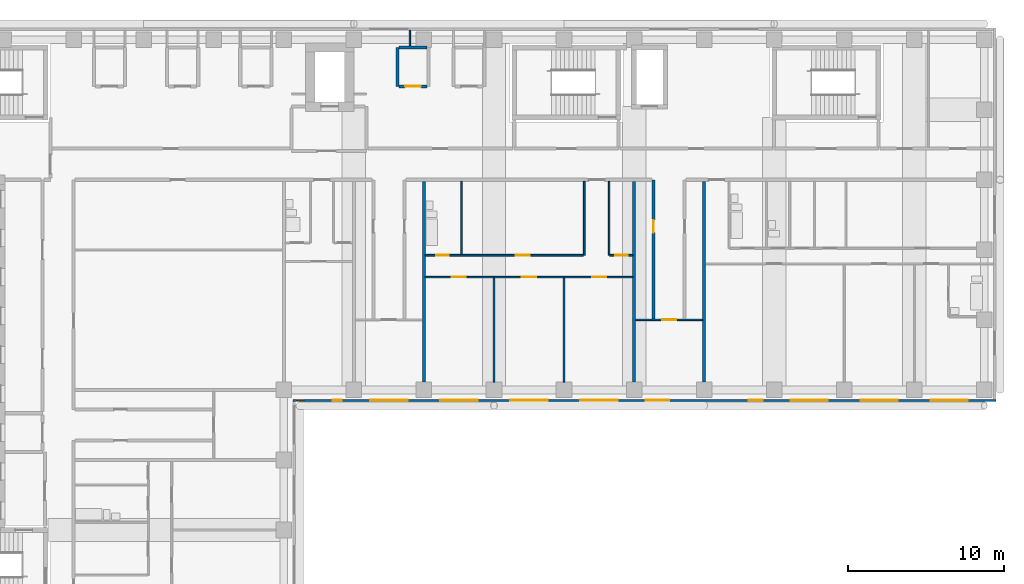
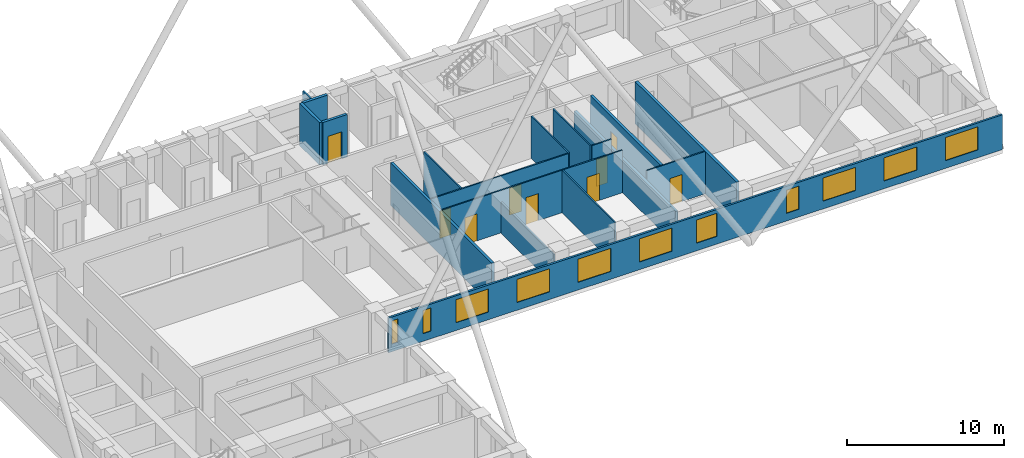
# One storey, part 7 of 13: 18 walls, 11 windows, 9 doors, 20 openings.
"""IFC4 building model written with IfcOpenShell, lengths in metres."""

from ifc_helpers import new_model, si_unit, direction, frame, frame_2d, origin, place, context, subcontext, project, spatial, rectangle, extrude, material, layer, layer_set, type_object, element, fill, save


model = new_model("IFC4")

# Units and contexts
model_context = context("Model", 3, precision=1e-05, world=origin(), true_north=direction((0.0, 1.0)))
body_context = subcontext(model_context, "Body", "Model", "MODEL_VIEW")
ifc_project = project(units=[si_unit("LENGTHUNIT", "METRE"), si_unit("AREAUNIT", "SQUARE_METRE"), si_unit("VOLUMEUNIT", "CUBIC_METRE"), si_unit("PLANEANGLEUNIT", "RADIAN"), si_unit("MASSUNIT", "GRAM", prefix="KILO")], contexts=[model_context])

# Site, building, storey
site_placement = place(None, origin())
site = spatial("IfcSite", under=ifc_project, at=site_placement, CompositionType="ELEMENT")
building_placement = place(site_placement, origin())
building = spatial("IfcBuilding", under=site, at=building_placement, Name="Firuza Court", CompositionType="ELEMENT")
storey_placement = place(building_placement, frame((0.0, 0.0, 141.199951171875)))
storey = spatial("IfcBuildingStorey", under=building, at=storey_placement, Name="L35", CompositionType="ELEMENT", Elevation=141.199951171875)

# Wall
ifc_material_1 = material(Name="Moisture-resistant gypsum board partition")
ifc_layer_1 = layer(ifc_material_1, 0.10009765625)
ifc_layer_set_1 = layer_set([ifc_layer_1], Name="Moisture-resistant gypsum board partition")
wall_type_1 = type_object("IfcWallType", Name="Bathroom partition 100", PredefinedType="PLUMBINGWALL", material=ifc_layer_set_1)
wall_1_placement = place(storey_placement, frame((33.89990234375, 44.699951171875, 0.0), z_axis=(0.0, 0.0, 1.0), x_axis=(0.0, 1.0, 0.0)))
element("IfcWall", 1, at=wall_1_placement, inside=storey, type_object=wall_type_1, Name="Bathroom partition 100 L35", PredefinedType="PLUMBINGWALL", context=body_context, shape_type="SweptSolid", body=[
    extrude(rectangle(XDim=4.699951171875, YDim=0.10009765625, at=frame_2d((2.35009765625, 0.0))), origin(), (0.0, 0.0, 1.0), 3.300048828125),
])

# Wall, opening, door
ifc_material_2 = material(Name="Blockwork, plastered both sides", Category="masonry")
ifc_layer_2 = layer(ifc_material_2, 0.199951171875)
ifc_layer_set_2 = layer_set([ifc_layer_2], Name="Blockwork, plastered both sides")
wall_type_2 = type_object("IfcWallType", Name="Corridor wall 200", PredefinedType="PARTITIONING", material=ifc_layer_set_2)
wall_2_placement = place(storey_placement, frame((46.25, 40.550048828125, 0.0), z_axis=(0.0, 0.0, 1.0), x_axis=(0.0, 1.0, 0.0)))
wall_2 = element("IfcWall", 2, at=wall_2_placement, inside=storey, type_object=wall_type_2, Name="Corridor wall 200 L35", PredefinedType="PARTITIONING", context=body_context, shape_type="SweptSolid", body=[
    extrude(rectangle(XDim=8.949951171875, YDim=0.199951171875, at=frame_2d((4.47509765625, 0.0))), origin(), (0.0, 0.0, 1.0), 3.300048828125),
])
opening_1_placement = place(wall_2_placement, frame((5.550048828125, 0.0, 0.0)))
opening_1 = element("IfcOpeningElement", 3, at=opening_1_placement, cuts=wall_2, Name="Opening D35043", PredefinedType="OPENING", context=body_context, shape_type="SweptSolid", body=[
    extrude(rectangle(XDim=0.800048828125, YDim=2.10009765625, at=frame_2d((0.39990234375, 1.050048828125))), frame((0.0, 0.11181640625, 0.0), z_axis=(0.0, -1.0, 0.0), x_axis=(1.0, 0.0, 0.0)), (0.0, 0.0, 1.0), 0.223876953125),
])
ifc_material_3 = material(Name="Timber door leaf in hardwood frame", Category="wood")
door_type_1 = type_object("IfcDoorType", Name="Room door 800 EI 30", OperationType="SINGLE_SWING_LEFT", PredefinedType="DOOR", material=ifc_material_3)
door_1_placement = place(opening_1_placement, origin())
door_1 = element("IfcDoor", 4, at=door_1_placement, inside=storey, type_object=door_type_1, Name="Store door", OperationType="SINGLE_SWING_RIGHT", OverallHeight=2.10009765625, OverallWidth=0.800048828125, PredefinedType="DOOR", context=body_context, shape_type="SweptSolid", body=[
    extrude(rectangle(XDim=0.800048828125, YDim=2.10009765625, at=frame_2d((0.39990234375, 1.050048828125))), frame((0.0, 0.02490234375, 0.0), z_axis=(0.0, -1.0, 0.0), x_axis=(1.0, 0.0, 0.0)), (0.0, 0.0, 1.0), 0.050048828125),
])
fill(opening_1, door_1)

# Walls
ifc_material_4 = material(Name="Timber stud partition, plasterboard both sides", Category="wood")
ifc_layer_3 = layer(ifc_material_4, 0.10009765625)
ifc_layer_set_3 = layer_set([ifc_layer_3], Name="Timber stud partition, plasterboard both sides")
wall_type_3 = type_object("IfcWallType", Name="Partition wall 100", PredefinedType="PARTITIONING", material=ifc_layer_set_3)
wall_3_placement = place(storey_placement, frame((36.0, 36.5, 0.0), z_axis=(0.0, 0.0, 1.0), x_axis=(0.0, 1.0, 0.0)))
element("IfcWall", 5, at=wall_3_placement, inside=storey, type_object=wall_type_3, Name="Partition wall 100 L35", PredefinedType="PARTITIONING", context=body_context, shape_type="SweptSolid", body=[
    extrude(rectangle(XDim=6.699951171875, YDim=0.10009765625, at=frame_2d((3.35009765625, 0.0))), origin(), (0.0, 0.0, 1.0), 2.400146484375),
])
wall_4_placement = place(storey_placement, frame((40.5, 36.5, 0.0), z_axis=(0.0, 0.0, 1.0), x_axis=(0.0, 1.0, 0.0)))
element("IfcWall", 6, at=wall_4_placement, inside=storey, type_object=wall_type_3, Name="Partition wall 100 L35", PredefinedType="PARTITIONING", context=body_context, shape_type="SweptSolid", body=[
    extrude(rectangle(XDim=6.699951171875, YDim=0.10009765625, at=frame_2d((3.35009765625, 0.0))), origin(), (0.0, 0.0, 1.0), 3.300048828125),
])

# Wall, opening, door
wall_5_placement = place(storey_placement, frame((45.10009765625, 40.5, 0.0), z_axis=(0.0, 0.0, 1.0), x_axis=(1.0, 0.0, 0.0)))
wall_5 = element("IfcWall", 7, at=wall_5_placement, inside=storey, type_object=wall_type_3, Name="Partition wall 100 L35", PredefinedType="PARTITIONING", context=body_context, shape_type="SweptSolid", body=[
    extrude(rectangle(XDim=4.2998046875, YDim=0.10009765625, at=frame_2d((2.14990234375, 0.0))), origin(), (0.0, 0.0, 1.0), 3.300048828125),
])
opening_2_placement = place(wall_5_placement, frame((1.699951171875, 0.0, 0.0)))
opening_2 = element("IfcOpeningElement", 8, at=opening_2_placement, cuts=wall_5, Name="Opening D35040", PredefinedType="OPENING", context=body_context, shape_type="SweptSolid", body=[
    extrude(rectangle(XDim=0.89990234375, YDim=2.10009765625, at=frame_2d((0.449951171875, 1.050048828125))), frame((0.0, 0.06201171875, 0.0), z_axis=(0.0, -1.0, 0.0), x_axis=(1.0, 0.0, 0.0)), (0.0, 0.0, 1.0), 0.1240234375),
])
ifc_material_5 = material(Name="Timber door leaf in hardwood frame", Category="wood")
door_type_2 = type_object("IfcDoorType", Name="Room door 900", OperationType="SINGLE_SWING_LEFT", PredefinedType="DOOR", material=ifc_material_5)
door_2_placement = place(opening_2_placement, origin())
door_2 = element("IfcDoor", 9, at=door_2_placement, inside=storey, type_object=door_type_2, Name="Residents' lounge door", OperationType="SINGLE_SWING_LEFT", OverallHeight=2.10009765625, OverallWidth=0.89990234375, PredefinedType="DOOR", context=body_context, shape_type="SweptSolid", body=[
    extrude(rectangle(XDim=0.89990234375, YDim=2.10009765625, at=frame_2d((0.449951171875, 1.050048828125))), frame((0.0, 0.02490234375, 0.0), z_axis=(0.0, -1.0, 0.0), x_axis=(1.0, 0.0, 0.0)), (0.0, 0.0, 1.0), 0.050048828125),
])
fill(opening_2, door_2)

# Wall, openings, doors
wall_6_placement = place(storey_placement, frame((31.60009765625, 43.25, 0.0), z_axis=(0.0, 0.0, 1.0), x_axis=(1.0, 0.0, 0.0)))
wall_6 = element("IfcWall", 10, at=wall_6_placement, inside=storey, type_object=wall_type_3, Name="Partition wall 100 L35", PredefinedType="PARTITIONING", context=body_context, shape_type="SweptSolid", body=[
    extrude(rectangle(XDim=13.2998046875, YDim=0.10009765625, at=frame_2d((6.64990234375, 0.0))), origin(), (0.0, 0.0, 1.0), 3.300048828125),
])
opening_3_placement = place(wall_6_placement, frame((1.699951171875, 0.0, 0.0)))
opening_3 = element("IfcOpeningElement", 11, at=opening_3_placement, cuts=wall_6, Name="Opening D35046", PredefinedType="OPENING", context=body_context, shape_type="SweptSolid", body=[
    extrude(rectangle(XDim=0.89990234375, YDim=2.10009765625, at=frame_2d((0.449951171875, 1.050048828125))), frame((0.0, 0.06201171875, 0.0), z_axis=(0.0, -1.0, 0.0), x_axis=(1.0, 0.0, 0.0)), (0.0, 0.0, 1.0), 0.1240234375),
])
opening_4_placement = place(wall_6_placement, frame((6.199951171875, 0.0, 0.0)))
opening_4 = element("IfcOpeningElement", 12, at=opening_4_placement, cuts=wall_6, Name="Opening D35047", PredefinedType="OPENING", context=body_context, shape_type="SweptSolid", body=[
    extrude(rectangle(XDim=0.89990234375, YDim=2.10009765625, at=frame_2d((0.449951171875, 1.050048828125))), frame((0.0, 0.06201171875, 0.0), z_axis=(0.0, -1.0, 0.0), x_axis=(1.0, 0.0, 0.0)), (0.0, 0.0, 1.0), 0.1240234375),
])
opening_5_placement = place(wall_6_placement, frame((10.699951171875, 0.0, 0.0)))
opening_5 = element("IfcOpeningElement", 13, at=opening_5_placement, cuts=wall_6, Name="Opening D35048", PredefinedType="OPENING", context=body_context, shape_type="SweptSolid", body=[
    extrude(rectangle(XDim=0.89990234375, YDim=2.10009765625, at=frame_2d((0.449951171875, 1.050048828125))), frame((0.0, 0.06201171875, 0.0), z_axis=(0.0, -1.0, 0.0), x_axis=(1.0, 0.0, 0.0)), (0.0, 0.0, 1.0), 0.1240234375),
])
door_3_placement = place(opening_3_placement, frame((0.89990234375, 0.0, 0.0), z_axis=(0.0, 0.0, 1.0), x_axis=(-1.0, 0.0, 0.0)))
door_3 = element("IfcDoor", 14, at=door_3_placement, inside=storey, type_object=door_type_2, Name="Bedroom door", OperationType="SINGLE_SWING_RIGHT", OverallHeight=2.10009765625, OverallWidth=0.89990234375, PredefinedType="DOOR", context=body_context, shape_type="SweptSolid", body=[
    extrude(rectangle(XDim=0.89990234375, YDim=2.10009765625, at=frame_2d((0.449951171875, 1.050048828125))), frame((0.0, 0.02490234375, 0.0), z_axis=(0.0, -1.0, 0.0), x_axis=(1.0, 0.0, 0.0)), (0.0, 0.0, 1.0), 0.050048828125),
])
fill(opening_3, door_3)
door_4_placement = place(opening_4_placement, frame((0.89990234375, 0.0, 0.0), z_axis=(0.0, 0.0, 1.0), x_axis=(-1.0, 0.0, 0.0)))
door_4 = element("IfcDoor", 15, at=door_4_placement, inside=storey, type_object=door_type_2, Name="Living room door", OperationType="SINGLE_SWING_RIGHT", OverallHeight=2.10009765625, OverallWidth=0.89990234375, PredefinedType="DOOR", context=body_context, shape_type="SweptSolid", body=[
    extrude(rectangle(XDim=0.89990234375, YDim=2.10009765625, at=frame_2d((0.449951171875, 1.050048828125))), frame((0.0, 0.02490234375, 0.0), z_axis=(0.0, -1.0, 0.0), x_axis=(1.0, 0.0, 0.0)), (0.0, 0.0, 1.0), 0.050048828125),
])
fill(opening_4, door_4)
door_5_placement = place(opening_5_placement, frame((0.89990234375, 0.0, 0.0), z_axis=(0.0, 0.0, 1.0), x_axis=(-1.0, 0.0, 0.0)))
door_5 = element("IfcDoor", 16, at=door_5_placement, inside=storey, type_object=door_type_2, Name="Bedroom door", OperationType="SINGLE_SWING_RIGHT", OverallHeight=2.10009765625, OverallWidth=0.89990234375, PredefinedType="DOOR", context=body_context, shape_type="SweptSolid", body=[
    extrude(rectangle(XDim=0.89990234375, YDim=2.10009765625, at=frame_2d((0.449951171875, 1.050048828125))), frame((0.0, 0.02490234375, 0.0), z_axis=(0.0, -1.0, 0.0), x_axis=(1.0, 0.0, 0.0)), (0.0, 0.0, 1.0), 0.050048828125),
])
fill(opening_5, door_5)

wall_7_placement = place(storey_placement, frame((31.60009765625, 44.64990234375, 0.0), z_axis=(0.0, 0.0, 1.0), x_axis=(1.0, 0.0, 0.0)))
wall_7 = element("IfcWall", 17, at=wall_7_placement, inside=storey, type_object=wall_type_3, Name="Partition wall 100 L35", PredefinedType="PARTITIONING", context=body_context, shape_type="SweptSolid", body=[
    extrude(rectangle(XDim=10.14990234375, YDim=0.10009765625, at=frame_2d((5.074951171875, 0.0))), origin(), (0.0, 0.0, 1.0), 3.300048828125),
])
opening_6_placement = place(wall_7_placement, frame((0.699951171875, 0.0, 0.0)))
opening_6 = element("IfcOpeningElement", 18, at=opening_6_placement, cuts=wall_7, Name="Opening D35053", PredefinedType="OPENING", context=body_context, shape_type="SweptSolid", body=[
    extrude(rectangle(XDim=0.800048828125, YDim=2.10009765625, at=frame_2d((0.39990234375, 1.050048828125))), frame((0.0, 0.06201171875, 0.0), z_axis=(0.0, -1.0, 0.0), x_axis=(1.0, 0.0, 0.0)), (0.0, 0.0, 1.0), 0.1240234375),
])
opening_7_placement = place(wall_7_placement, frame((5.800048828125, 0.0, 0.0)))
opening_7 = element("IfcOpeningElement", 19, at=opening_7_placement, cuts=wall_7, Name="Opening D35054", PredefinedType="OPENING", context=body_context, shape_type="SweptSolid", body=[
    extrude(rectangle(XDim=0.89990234375, YDim=2.10009765625, at=frame_2d((0.449951171875, 1.050048828125))), frame((0.0, 0.06201171875, 0.0), z_axis=(0.0, -1.0, 0.0), x_axis=(1.0, 0.0, 0.0)), (0.0, 0.0, 1.0), 0.1240234375),
])
ifc_material_6 = material(Name="Timber door leaf in hardwood frame", Category="wood")
door_type_3 = type_object("IfcDoorType", Name="Bathroom door 800", OperationType="SINGLE_SWING_LEFT", PredefinedType="DOOR", material=ifc_material_6)
door_6_placement = place(opening_6_placement, origin())
door_6 = element("IfcDoor", 20, at=door_6_placement, inside=storey, type_object=door_type_3, Name="Bathroom door", OperationType="SINGLE_SWING_LEFT", OverallHeight=2.10009765625, OverallWidth=0.800048828125, PredefinedType="DOOR", context=body_context, shape_type="SweptSolid", body=[
    extrude(rectangle(XDim=0.800048828125, YDim=2.10009765625, at=frame_2d((0.39990234375, 1.050048828125))), frame((0.0, 0.02490234375, 0.0), z_axis=(0.0, -1.0, 0.0), x_axis=(1.0, 0.0, 0.0)), (0.0, 0.0, 1.0), 0.050048828125),
])
fill(opening_6, door_6)
door_7_placement = place(opening_7_placement, origin())
door_7 = element("IfcDoor", 21, at=door_7_placement, inside=storey, type_object=door_type_2, Name="Kitchen door", OperationType="SINGLE_SWING_LEFT", OverallHeight=2.10009765625, OverallWidth=0.89990234375, PredefinedType="DOOR", context=body_context, shape_type="SweptSolid", body=[
    extrude(rectangle(XDim=0.89990234375, YDim=2.10009765625, at=frame_2d((0.449951171875, 1.050048828125))), frame((0.0, 0.02490234375, 0.0), z_axis=(0.0, -1.0, 0.0), x_axis=(1.0, 0.0, 0.0)), (0.0, 0.0, 1.0), 0.050048828125),
])
fill(opening_7, door_7)

# Walls
for number, where, z_axis, x_axis, name in (
    (22, (41.800048828125, 44.64990234375, 0.0), (0.0, 0.0, 1.0), (0.0, 1.0, 0.0), "Partition wall 100 L35"),
    (23, (43.39990234375, 44.64990234375, 0.0), (0.0, 0.0, 1.0), (0.0, 1.0, 0.0), "Partition wall 100 L35"),
):
    element("IfcWall", number, at=place(storey_placement, frame(where, z_axis=z_axis, x_axis=x_axis)), inside=storey, type_object=wall_type_3, Name=name, PredefinedType="PARTITIONING", context=body_context, shape_type="SweptSolid", body=[
        extrude(rectangle(XDim=4.75, YDim=0.10009765625, at=frame_2d((2.375, 0.0))), origin(), (0.0, 0.0, 1.0), 3.300048828125),
    ])

# Wall, opening, door
wall_8_placement = place(storey_placement, frame((43.449951171875, 44.64990234375, 0.0), z_axis=(0.0, 0.0, 1.0), x_axis=(1.0, 0.0, 0.0)))
wall_8 = element("IfcWall", 24, at=wall_8_placement, inside=storey, type_object=wall_type_3, Name="Partition wall 100 L35", PredefinedType="PARTITIONING", context=body_context, shape_type="SweptSolid", body=[
    extrude(rectangle(XDim=1.449951171875, YDim=0.10009765625, at=frame_2d((0.72509765625, 0.0))), origin(), (0.0, 0.0, 1.0), 3.300048828125),
])
opening_8_placement = place(wall_8_placement, frame((0.35009765625, 0.0, 0.0)))
opening_8 = element("IfcOpeningElement", 25, at=opening_8_placement, cuts=wall_8, Name="Opening D35055", PredefinedType="OPENING", context=body_context, shape_type="SweptSolid", body=[
    extrude(rectangle(XDim=0.800048828125, YDim=2.10009765625, at=frame_2d((0.39990234375, 1.050048828125))), frame((0.0, 0.06201171875, 0.0), z_axis=(0.0, -1.0, 0.0), x_axis=(1.0, 0.0, 0.0)), (0.0, 0.0, 1.0), 0.1240234375),
])
ifc_material_7 = material(Name="Timber door leaf in hardwood frame", Category="wood")
door_type_4 = type_object("IfcDoorType", Name="Room door 800", OperationType="SINGLE_SWING_LEFT", PredefinedType="DOOR", material=ifc_material_7)
door_8_placement = place(opening_8_placement, origin())
door_8 = element("IfcDoor", 26, at=door_8_placement, inside=storey, type_object=door_type_4, Name="Store door", OperationType="SINGLE_SWING_LEFT", OverallHeight=2.10009765625, OverallWidth=0.800048828125, PredefinedType="DOOR", context=body_context, shape_type="SweptSolid", body=[
    extrude(rectangle(XDim=0.800048828125, YDim=2.10009765625, at=frame_2d((0.39990234375, 1.050048828125))), frame((0.0, 0.02490234375, 0.0), z_axis=(0.0, -1.0, 0.0), x_axis=(1.0, 0.0, 0.0)), (0.0, 0.0, 1.0), 0.050048828125),
])
fill(opening_8, door_8)

# Walls
wall_9_placement = place(storey_placement, frame((30.60009765625, 58.10009765625, 0.0), z_axis=(0.0, 0.0, 1.0), x_axis=(0.0, 1.0, 0.0)))
element("IfcWall", 27, at=wall_9_placement, inside=storey, type_object=wall_type_3, Name="Partition wall 100 L35", PredefinedType="PARTITIONING", context=body_context, shape_type="SweptSolid", body=[
    extrude(rectangle(XDim=1.0, YDim=0.10009765625, at=frame_2d((0.5, 0.0))), origin(), (0.0, 0.0, 1.0), 3.300048828125),
])
ifc_layer_4 = layer(ifc_material_2, 0.199951171875)
ifc_layer_set_4 = layer_set([ifc_layer_4], Name="Blockwork, plastered both sides")
wall_type_4 = type_object("IfcWallType", Name="Party wall 200", PredefinedType="PARTITIONING", material=ifc_layer_set_4)
wall_10_placement = place(storey_placement, frame((31.5, 36.5, 0.0), z_axis=(0.0, 0.0, 1.0), x_axis=(0.0, 1.0, 0.0)))
element("IfcWall", 28, at=wall_10_placement, inside=storey, type_object=wall_type_4, Name="Party wall 200 L35", PredefinedType="PARTITIONING", context=body_context, shape_type="SweptSolid", body=[
    extrude(rectangle(XDim=12.89990234375, YDim=0.199951171875, at=frame_2d((6.449951171875, 0.0))), origin(), (0.0, 0.0, 1.0), 3.300048828125),
])
wall_11_placement = place(storey_placement, frame((45.0, 36.5, 0.0), z_axis=(0.0, 0.0, 1.0), x_axis=(0.0, 1.0, 0.0)))
element("IfcWall", 29, at=wall_11_placement, inside=storey, type_object=wall_type_4, Name="Party wall 200 L35", PredefinedType="PARTITIONING", context=body_context, shape_type="SweptSolid", body=[
    extrude(rectangle(XDim=12.89990234375, YDim=0.199951171875, at=frame_2d((6.449951171875, 0.0))), origin(), (0.0, 0.0, 1.0), 2.60009765625),
])
wall_12_placement = place(storey_placement, frame((49.5, 36.5, 0.0), z_axis=(0.0, 0.0, 1.0), x_axis=(0.0, 1.0, 0.0)))
element("IfcWall", 30, at=wall_12_placement, inside=storey, type_object=wall_type_4, Name="Party wall 200 L35", PredefinedType="PARTITIONING", context=body_context, shape_type="SweptSolid", body=[
    extrude(rectangle(XDim=12.89990234375, YDim=0.199951171875, at=frame_2d((6.449951171875, 0.0))), origin(), (0.0, 0.0, 1.0), 3.300048828125),
])
ifc_material_8 = material(Name="Blockwork, fire-rated", Category="masonry")
ifc_layer_5 = layer(ifc_material_8, 0.199951171875)
ifc_layer_set_5 = layer_set([ifc_layer_5], Name="Blockwork, fire-rated")
wall_type_5 = type_object("IfcWallType", Name="Plant room wall 200", PredefinedType="PARTITIONING", material=ifc_layer_set_5)
wall_13_placement = place(storey_placement, frame((29.800048828125, 55.5, 0.0), z_axis=(0.0, 0.0, 1.0), x_axis=(0.0, 1.0, 0.0)))
element("IfcWall", 31, at=wall_13_placement, inside=storey, type_object=wall_type_5, Name="Plant room wall 200 L35", PredefinedType="PARTITIONING", context=body_context, shape_type="SweptSolid", body=[
    extrude(rectangle(XDim=2.5, YDim=0.199951171875, at=frame_2d((1.25, 0.0))), origin(), (0.0, 0.0, 1.0), 3.300048828125),
])

# Wall, opening, door
wall_14_placement = place(storey_placement, frame((29.89990234375, 55.5, 0.0), z_axis=(0.0, 0.0, 1.0), x_axis=(1.0, 0.0, 0.0)))
wall_14 = element("IfcWall", 32, at=wall_14_placement, inside=storey, type_object=wall_type_5, Name="Plant room wall 200 L35", PredefinedType="PARTITIONING", context=body_context, shape_type="SweptSolid", body=[
    extrude(rectangle(XDim=1.800048828125, YDim=0.199951171875, at=frame_2d((0.89990234375, 0.0))), origin(), (0.0, 0.0, 1.0), 3.300048828125),
])
opening_9_placement = place(wall_14_placement, frame((0.39990234375, 0.0, 0.0)))
opening_9 = element("IfcOpeningElement", 33, at=opening_9_placement, cuts=wall_14, Name="Opening D35075", PredefinedType="OPENING", context=body_context, shape_type="SweptSolid", body=[
    extrude(rectangle(XDim=1.0, YDim=2.10009765625, at=frame_2d((0.5, 1.050048828125))), frame((0.0, 0.11181640625, 0.0), z_axis=(0.0, -1.0, 0.0), x_axis=(1.0, 0.0, 0.0)), (0.0, 0.0, 1.0), 0.223876953125),
])
ifc_material_9 = material(Name="Timber door leaf in hardwood frame", Category="wood")
door_type_5 = type_object("IfcDoorType", Name="Riser door 1000", OperationType="SINGLE_SWING_LEFT", PredefinedType="DOOR", material=ifc_material_9)
door_9_placement = place(opening_9_placement, origin())
door_9 = element("IfcDoor", 34, at=door_9_placement, inside=storey, type_object=door_type_5, Name="Electrical riser door", OperationType="SINGLE_SWING_LEFT", OverallHeight=2.10009765625, OverallWidth=1.0, PredefinedType="DOOR", context=body_context, shape_type="SweptSolid", body=[
    extrude(rectangle(XDim=1.0, YDim=2.10009765625, at=frame_2d((0.5, 1.050048828125))), frame((0.0, 0.02490234375, 0.0), z_axis=(0.0, -1.0, 0.0), x_axis=(1.0, 0.0, 0.0)), (0.0, 0.0, 1.0), 0.050048828125),
])
fill(opening_9, door_9)

# Wall
wall_15_placement = place(storey_placement, frame((29.89990234375, 58.0, 0.0), z_axis=(0.0, 0.0, 1.0), x_axis=(1.0, 0.0, 0.0)))
element("IfcWall", 35, at=wall_15_placement, inside=storey, type_object=wall_type_5, Name="Plant room wall 200 L35", PredefinedType="PARTITIONING", context=body_context, shape_type="SweptSolid", body=[
    extrude(rectangle(XDim=1.800048828125, YDim=0.199951171875, at=frame_2d((0.89990234375, 0.0))), origin(), (0.0, 0.0, 1.0), 3.300048828125),
])

# Wall, openings, windows
ifc_material_10 = material(Name="Ceramic tile", Category="ceramic")
ifc_layer_6 = layer(ifc_material_10, 0.02001953125)
ifc_material_11 = material(Name="Mineral wool insulation", Category="insulation")
ifc_layer_7 = layer(ifc_material_11, 0.050048828125)
ifc_material_12 = material(Name="Concrete C40/50 precast", Category="concrete")
ifc_layer_8 = layer(ifc_material_12, 0.080078125)
ifc_layer_set_6 = layer_set([ifc_layer_6, ifc_layer_7, ifc_layer_8], Name="Concrete C40/50 precast")
wall_type_6 = type_object("IfcWallType", Name="Precast cladding wall with turquoise TILE PANEL face 150", PredefinedType="STANDARD", material=ifc_layer_set_6)
wall_16_placement = place(storey_placement, frame((23.10009765625, 35.324951171875, 0.0), z_axis=(0.0, 0.0, 1.0), x_axis=(1.0, 0.0, 0.0)))
wall_16 = element("IfcWall", 36, at=wall_16_placement, inside=storey, type_object=wall_type_6, Name="Facade wall L35 S", PredefinedType="STANDARD", context=body_context, shape_type="SweptSolid", body=[
    extrude(rectangle(XDim=45.14990234375, YDim=0.14990234375, at=frame_2d((22.574951171875, 0.0))), origin(), (0.0, 0.0, 1.0), 2.699951171875),
])
opening_10_placement = place(wall_16_placement, frame((0.240234375, 0.0, 0.60009765625)))
opening_10 = element("IfcOpeningElement", 37, at=opening_10_placement, cuts=wall_16, Name="Opening W5", PredefinedType="OPENING", context=body_context, shape_type="SweptSolid", body=[
    extrude(rectangle(XDim=0.449951171875, YDim=1.800048828125, at=frame_2d((0.22509765625, 0.89990234375))), frame((0.0, 0.0869140625, 0.0), z_axis=(0.0, -1.0, 0.0), x_axis=(1.0, 0.0, 0.0)), (0.0, 0.0, 1.0), 0.173828125),
])
opening_11_placement = place(wall_16_placement, frame((2.529296875, 0.0, 0.60009765625)))
opening_11 = element("IfcOpeningElement", 38, at=opening_11_placement, cuts=wall_16, Name="Opening W4", PredefinedType="OPENING", context=body_context, shape_type="SweptSolid", body=[
    extrude(rectangle(XDim=0.60009765625, YDim=1.800048828125, at=frame_2d((0.300048828125, 0.89990234375))), frame((0.0, 0.0869140625, 0.0), z_axis=(0.0, -1.0, 0.0), x_axis=(1.0, 0.0, 0.0)), (0.0, 0.0, 1.0), 0.173828125),
])
opening_12_placement = place(wall_16_placement, frame((4.949951171875, 0.0, 0.60009765625)))
opening_12 = element("IfcOpeningElement", 39, at=opening_12_placement, cuts=wall_16, Name="Opening W1", PredefinedType="OPENING", context=body_context, shape_type="SweptSolid", body=[
    extrude(rectangle(XDim=2.39990234375, YDim=1.800048828125, at=frame_2d((1.199951171875, 0.89990234375))), frame((0.0, 0.0869140625, 0.0), z_axis=(0.0, -1.0, 0.0), x_axis=(1.0, 0.0, 0.0)), (0.0, 0.0, 1.0), 0.173828125),
])
opening_13_placement = place(wall_16_placement, frame((9.449951171875, 0.0, 0.60009765625)))
opening_13 = element("IfcOpeningElement", 40, at=opening_13_placement, cuts=wall_16, Name="Opening W1", PredefinedType="OPENING", context=body_context, shape_type="SweptSolid", body=[
    extrude(rectangle(XDim=2.39990234375, YDim=1.800048828125, at=frame_2d((1.199951171875, 0.89990234375))), frame((0.0, 0.0869140625, 0.0), z_axis=(0.0, -1.0, 0.0), x_axis=(1.0, 0.0, 0.0)), (0.0, 0.0, 1.0), 0.173828125),
])
opening_14_placement = place(wall_16_placement, frame((13.949951171875, 0.0, 0.60009765625)))
opening_14 = element("IfcOpeningElement", 41, at=opening_14_placement, cuts=wall_16, Name="Opening W1", PredefinedType="OPENING", context=body_context, shape_type="SweptSolid", body=[
    extrude(rectangle(XDim=2.39990234375, YDim=1.800048828125, at=frame_2d((1.199951171875, 0.89990234375))), frame((0.0, 0.0869140625, 0.0), z_axis=(0.0, -1.0, 0.0), x_axis=(1.0, 0.0, 0.0)), (0.0, 0.0, 1.0), 0.173828125),
])
opening_15_placement = place(wall_16_placement, frame((18.449951171875, 0.0, 0.60009765625)))
opening_15 = element("IfcOpeningElement", 42, at=opening_15_placement, cuts=wall_16, Name="Opening W1", PredefinedType="OPENING", context=body_context, shape_type="SweptSolid", body=[
    extrude(rectangle(XDim=2.39990234375, YDim=1.800048828125, at=frame_2d((1.199951171875, 0.89990234375))), frame((0.0, 0.0869140625, 0.0), z_axis=(0.0, -1.0, 0.0), x_axis=(1.0, 0.0, 0.0)), (0.0, 0.0, 1.0), 0.173828125),
])
opening_16_placement = place(wall_16_placement, frame((22.6533203125, 0.0, 0.60009765625)))
opening_16 = element("IfcOpeningElement", 43, at=opening_16_placement, cuts=wall_16, Name="Opening W2", PredefinedType="OPENING", context=body_context, shape_type="SweptSolid", body=[
    extrude(rectangle(XDim=1.5, YDim=1.800048828125, at=frame_2d((0.75, 0.89990234375))), frame((0.0, 0.0869140625, 0.0), z_axis=(0.0, -1.0, 0.0), x_axis=(1.0, 0.0, 0.0)), (0.0, 0.0, 1.0), 0.173828125),
])
opening_17_placement = place(wall_16_placement, frame((29.26953125, 0.0, 0.60009765625)))
opening_17 = element("IfcOpeningElement", 44, at=opening_17_placement, cuts=wall_16, Name="Opening W3", PredefinedType="OPENING", context=body_context, shape_type="SweptSolid", body=[
    extrude(rectangle(XDim=0.89990234375, YDim=1.800048828125, at=frame_2d((0.449951171875, 0.89990234375))), frame((0.0, 0.0869140625, 0.0), z_axis=(0.0, -1.0, 0.0), x_axis=(1.0, 0.0, 0.0)), (0.0, 0.0, 1.0), 0.173828125),
])
opening_18_placement = place(wall_16_placement, frame((31.949951171875, 0.0, 0.60009765625)))
opening_18 = element("IfcOpeningElement", 45, at=opening_18_placement, cuts=wall_16, Name="Opening W1", PredefinedType="OPENING", context=body_context, shape_type="SweptSolid", body=[
    extrude(rectangle(XDim=2.39990234375, YDim=1.800048828125, at=frame_2d((1.199951171875, 0.89990234375))), frame((0.0, 0.0869140625, 0.0), z_axis=(0.0, -1.0, 0.0), x_axis=(1.0, 0.0, 0.0)), (0.0, 0.0, 1.0), 0.173828125),
])
opening_19_placement = place(wall_16_placement, frame((36.449951171875, 0.0, 0.60009765625)))
opening_19 = element("IfcOpeningElement", 46, at=opening_19_placement, cuts=wall_16, Name="Opening W1", PredefinedType="OPENING", context=body_context, shape_type="SweptSolid", body=[
    extrude(rectangle(XDim=2.39990234375, YDim=1.800048828125, at=frame_2d((1.199951171875, 0.89990234375))), frame((0.0, 0.0869140625, 0.0), z_axis=(0.0, -1.0, 0.0), x_axis=(1.0, 0.0, 0.0)), (0.0, 0.0, 1.0), 0.173828125),
])
opening_20_placement = place(wall_16_placement, frame((40.949951171875, 0.0, 0.60009765625)))
opening_20 = element("IfcOpeningElement", 47, at=opening_20_placement, cuts=wall_16, Name="Opening W1", PredefinedType="OPENING", context=body_context, shape_type="SweptSolid", body=[
    extrude(rectangle(XDim=2.39990234375, YDim=1.800048828125, at=frame_2d((1.199951171875, 0.89990234375))), frame((0.0, 0.0869140625, 0.0), z_axis=(0.0, -1.0, 0.0), x_axis=(1.0, 0.0, 0.0)), (0.0, 0.0, 1.0), 0.173828125),
])
ifc_material_13 = material(Name="Aluminium frame, triple clear glazing", Category="aluminium")
window_type_1 = type_object("IfcWindowType", Name="Window W1 2400 x 1800", PartitioningType="SINGLE_PANEL", PredefinedType="WINDOW", material=ifc_material_13)
window_1_placement = place(opening_12_placement, origin())
window_1 = element("IfcWindow", 48, at=window_1_placement, inside=storey, type_object=window_type_1, Name="Window L35", OverallHeight=1.800048828125, OverallWidth=2.39990234375, PartitioningType="SINGLE_PANEL", PredefinedType="WINDOW", context=body_context, shape_type="SweptSolid", body=[
    extrude(rectangle(XDim=2.39990234375, YDim=1.800048828125, at=frame_2d((1.199951171875, 0.89990234375))), frame((0.0, 0.030029296875, 0.0), z_axis=(0.0, -1.0, 0.0), x_axis=(1.0, 0.0, 0.0)), (0.0, 0.0, 1.0), 0.06005859375),
])
fill(opening_12, window_1)
window_2_placement = place(opening_13_placement, origin())
window_2 = element("IfcWindow", 49, at=window_2_placement, inside=storey, type_object=window_type_1, Name="Window L35", OverallHeight=1.800048828125, OverallWidth=2.39990234375, PartitioningType="SINGLE_PANEL", PredefinedType="WINDOW", context=body_context, shape_type="SweptSolid", body=[
    extrude(rectangle(XDim=2.39990234375, YDim=1.800048828125, at=frame_2d((1.199951171875, 0.89990234375))), frame((0.0, 0.030029296875, 0.0), z_axis=(0.0, -1.0, 0.0), x_axis=(1.0, 0.0, 0.0)), (0.0, 0.0, 1.0), 0.06005859375),
])
fill(opening_13, window_2)
window_3_placement = place(opening_14_placement, origin())
window_3 = element("IfcWindow", 50, at=window_3_placement, inside=storey, type_object=window_type_1, Name="Window L35", OverallHeight=1.800048828125, OverallWidth=2.39990234375, PartitioningType="SINGLE_PANEL", PredefinedType="WINDOW", context=body_context, shape_type="SweptSolid", body=[
    extrude(rectangle(XDim=2.39990234375, YDim=1.800048828125, at=frame_2d((1.199951171875, 0.89990234375))), frame((0.0, 0.030029296875, 0.0), z_axis=(0.0, -1.0, 0.0), x_axis=(1.0, 0.0, 0.0)), (0.0, 0.0, 1.0), 0.06005859375),
])
fill(opening_14, window_3)
window_4_placement = place(opening_15_placement, origin())
window_4 = element("IfcWindow", 51, at=window_4_placement, inside=storey, type_object=window_type_1, Name="Window L35", OverallHeight=1.800048828125, OverallWidth=2.39990234375, PartitioningType="SINGLE_PANEL", PredefinedType="WINDOW", context=body_context, shape_type="SweptSolid", body=[
    extrude(rectangle(XDim=2.39990234375, YDim=1.800048828125, at=frame_2d((1.199951171875, 0.89990234375))), frame((0.0, 0.030029296875, 0.0), z_axis=(0.0, -1.0, 0.0), x_axis=(1.0, 0.0, 0.0)), (0.0, 0.0, 1.0), 0.06005859375),
])
fill(opening_15, window_4)
window_5_placement = place(opening_18_placement, origin())
window_5 = element("IfcWindow", 52, at=window_5_placement, inside=storey, type_object=window_type_1, Name="Window L35", OverallHeight=1.800048828125, OverallWidth=2.39990234375, PartitioningType="SINGLE_PANEL", PredefinedType="WINDOW", context=body_context, shape_type="SweptSolid", body=[
    extrude(rectangle(XDim=2.39990234375, YDim=1.800048828125, at=frame_2d((1.199951171875, 0.89990234375))), frame((0.0, 0.030029296875, 0.0), z_axis=(0.0, -1.0, 0.0), x_axis=(1.0, 0.0, 0.0)), (0.0, 0.0, 1.0), 0.06005859375),
])
fill(opening_18, window_5)
window_6_placement = place(opening_19_placement, origin())
window_6 = element("IfcWindow", 53, at=window_6_placement, inside=storey, type_object=window_type_1, Name="Window L35", OverallHeight=1.800048828125, OverallWidth=2.39990234375, PartitioningType="SINGLE_PANEL", PredefinedType="WINDOW", context=body_context, shape_type="SweptSolid", body=[
    extrude(rectangle(XDim=2.39990234375, YDim=1.800048828125, at=frame_2d((1.199951171875, 0.89990234375))), frame((0.0, 0.030029296875, 0.0), z_axis=(0.0, -1.0, 0.0), x_axis=(1.0, 0.0, 0.0)), (0.0, 0.0, 1.0), 0.06005859375),
])
fill(opening_19, window_6)
window_7_placement = place(opening_20_placement, origin())
window_7 = element("IfcWindow", 54, at=window_7_placement, inside=storey, type_object=window_type_1, Name="Window L35", OverallHeight=1.800048828125, OverallWidth=2.39990234375, PartitioningType="SINGLE_PANEL", PredefinedType="WINDOW", context=body_context, shape_type="SweptSolid", body=[
    extrude(rectangle(XDim=2.39990234375, YDim=1.800048828125, at=frame_2d((1.199951171875, 0.89990234375))), frame((0.0, 0.030029296875, 0.0), z_axis=(0.0, -1.0, 0.0), x_axis=(1.0, 0.0, 0.0)), (0.0, 0.0, 1.0), 0.06005859375),
])
fill(opening_20, window_7)
ifc_material_14 = material(Name="Aluminium frame, triple clear glazing", Category="aluminium")
window_type_2 = type_object("IfcWindowType", Name="Window W2 1500 x 1800", PartitioningType="SINGLE_PANEL", PredefinedType="WINDOW", material=ifc_material_14)
window_8_placement = place(opening_16_placement, origin())
window_8 = element("IfcWindow", 55, at=window_8_placement, inside=storey, type_object=window_type_2, Name="Window L35", OverallHeight=1.800048828125, OverallWidth=1.5, PartitioningType="SINGLE_PANEL", PredefinedType="WINDOW", context=body_context, shape_type="SweptSolid", body=[
    extrude(rectangle(XDim=1.5, YDim=1.800048828125, at=frame_2d((0.75, 0.89990234375))), frame((0.0, 0.030029296875, 0.0), z_axis=(0.0, -1.0, 0.0), x_axis=(1.0, 0.0, 0.0)), (0.0, 0.0, 1.0), 0.06005859375),
])
fill(opening_16, window_8)
ifc_material_15 = material(Name="Aluminium frame, triple clear glazing", Category="aluminium")
window_type_3 = type_object("IfcWindowType", Name="Window W3 900 x 1800", PartitioningType="SINGLE_PANEL", PredefinedType="WINDOW", material=ifc_material_15)
window_9_placement = place(opening_17_placement, origin())
window_9 = element("IfcWindow", 56, at=window_9_placement, inside=storey, type_object=window_type_3, Name="Window L35", OverallHeight=1.800048828125, OverallWidth=0.89990234375, PartitioningType="SINGLE_PANEL", PredefinedType="WINDOW", context=body_context, shape_type="SweptSolid", body=[
    extrude(rectangle(XDim=0.89990234375, YDim=1.800048828125, at=frame_2d((0.449951171875, 0.89990234375))), frame((0.0, 0.030029296875, 0.0), z_axis=(0.0, -1.0, 0.0), x_axis=(1.0, 0.0, 0.0)), (0.0, 0.0, 1.0), 0.06005859375),
])
fill(opening_17, window_9)
ifc_material_16 = material(Name="Aluminium frame, triple clear glazing", Category="aluminium")
window_type_4 = type_object("IfcWindowType", Name="Window W4 600 x 1800", PartitioningType="SINGLE_PANEL", PredefinedType="WINDOW", material=ifc_material_16)
window_10_placement = place(opening_11_placement, origin())
window_10 = element("IfcWindow", 57, at=window_10_placement, inside=storey, type_object=window_type_4, Name="Window L35", OverallHeight=1.800048828125, OverallWidth=0.60009765625, PartitioningType="SINGLE_PANEL", PredefinedType="WINDOW", context=body_context, shape_type="SweptSolid", body=[
    extrude(rectangle(XDim=0.60009765625, YDim=1.800048828125, at=frame_2d((0.300048828125, 0.89990234375))), frame((0.0, 0.030029296875, 0.0), z_axis=(0.0, -1.0, 0.0), x_axis=(1.0, 0.0, 0.0)), (0.0, 0.0, 1.0), 0.06005859375),
])
fill(opening_11, window_10)
ifc_material_17 = material(Name="Aluminium frame, triple clear glazing", Category="aluminium")
window_type_5 = type_object("IfcWindowType", Name="Window W5 450 x 1800", PartitioningType="SINGLE_PANEL", PredefinedType="WINDOW", material=ifc_material_17)
window_11_placement = place(opening_10_placement, origin())
window_11 = element("IfcWindow", 58, at=window_11_placement, inside=storey, type_object=window_type_5, Name="Window L35", OverallHeight=1.800048828125, OverallWidth=0.449951171875, PartitioningType="SINGLE_PANEL", PredefinedType="WINDOW", context=body_context, shape_type="SweptSolid", body=[
    extrude(rectangle(XDim=0.449951171875, YDim=1.800048828125, at=frame_2d((0.22509765625, 0.89990234375))), frame((0.0, 0.030029296875, 0.0), z_axis=(0.0, -1.0, 0.0), x_axis=(1.0, 0.0, 0.0)), (0.0, 0.0, 1.0), 0.06005859375),
])
fill(opening_10, window_11)

save(model, "model.ifc")
